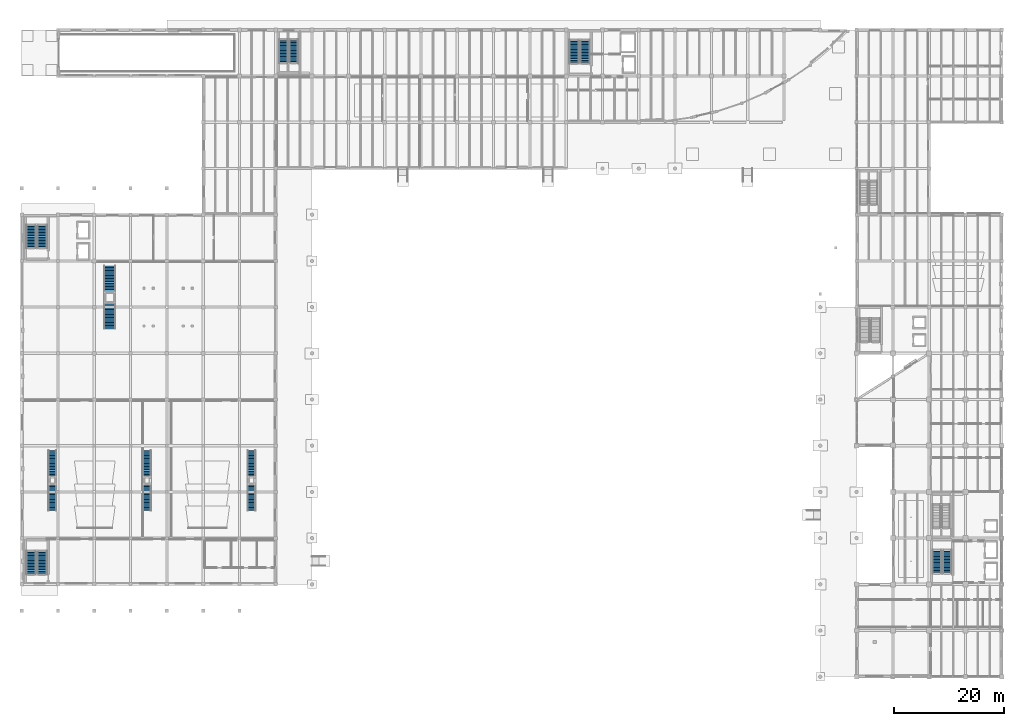
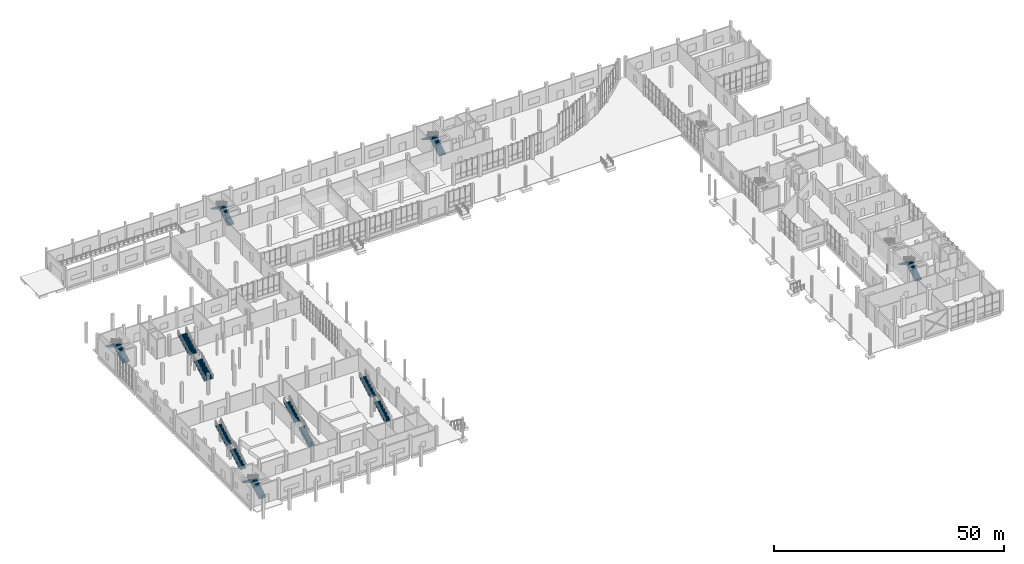
# One storey, part 51 of 64: 18 stair flights, 9 elements without a shape of their own.
"""IFC4 building model written with IfcOpenShell, lengths in metres."""

from ifc_helpers import new_model, si_unit, direction, frame, origin, place, context, subcontext, project, spatial, polyline, outline, extrude, material, type_object, element, aggregate, save


model = new_model("IFC4")

# Units and contexts
model_context = context("Model", 3, precision=1e-05, world=origin(), true_north=direction((0.0, 1.0)))
body_context = subcontext(model_context, "Body", "Model", "MODEL_VIEW")
ifc_project = project(units=[si_unit("LENGTHUNIT", "METRE"), si_unit("AREAUNIT", "SQUARE_METRE"), si_unit("VOLUMEUNIT", "CUBIC_METRE"), si_unit("PLANEANGLEUNIT", "RADIAN"), si_unit("MASSUNIT", "GRAM", prefix="KILO")], contexts=[model_context])

# Site, building, storey
site_placement = place(None, origin())
site = spatial("IfcSite", under=ifc_project, at=site_placement, CompositionType="ELEMENT")
building_placement = place(site_placement, origin())
building = spatial("IfcBuilding", under=site, at=building_placement, Name="Qaldarim Faculty of Natural and Applied Sciences", CompositionType="ELEMENT")
storey_placement = place(building_placement, origin())
storey = spatial("IfcBuildingStorey", under=building, at=storey_placement, Name="L00", CompositionType="ELEMENT", Elevation=0.0)

# Stair, stair flights
ifc_material = material(Name="Concrete C40/50", Category="concrete")
stair_type_1 = type_object("IfcStairType", Name="FeatureStraightStair-W1500-H5400", PredefinedType="STRAIGHT_RUN_STAIR", material=ifc_material)
stair_1_placement = place(storey_placement, origin())
stair_1 = element("IfcStair", 1, at=stair_1_placement, inside=storey, type_object=stair_type_1, Name="Lecture theatre vomitory stair 1", PredefinedType="STRAIGHT_RUN_STAIR")
stair_flight_type_1 = type_object("IfcStairFlightType", Name="FeatureFlight-W1500-17R", PredefinedType="STRAIGHT", material=ifc_material)
stair_flight_1_placement = place(storey_placement, frame((22.800048828125, 30.215087890625, 0.0), z_axis=(0.0, 0.0, 1.0), x_axis=(0.0, 1.0, 0.0)))
stair_flight_1 = element("IfcStairFlight", 2, at=stair_flight_1_placement, type_object=stair_flight_type_1, Name="Lecture theatre vomitory stair 1 flight 1", NumberOfRisers=17, NumberOfTreads=16, PredefinedType="STRAIGHT", RiserHeight=0.158824, TreadLength=0.29, context=body_context, shape_type="SweptSolid", body=[
    extrude(outline(polyline([(0.0, 0.0), (0.0, 0.158935546875), (0.2900390625, 0.158935546875), (0.2900390625, 0.317626953125), (0.580078125, 0.317626953125), (0.580078125, 0.4765625), (0.8701171875, 0.4765625), (0.8701171875, 0.63525390625), (1.159912109375, 0.63525390625), (1.159912109375, 0.794189453125), (1.449951171875, 0.794189453125), (1.449951171875, 0.952880859375), (1.739990234375, 0.952880859375), (1.739990234375, 1.11181640625), (2.030029296875, 1.11181640625), (2.030029296875, 1.2705078125), (2.320068359375, 1.2705078125), (2.320068359375, 1.429443359375), (2.610107421875, 1.429443359375), (2.610107421875, 1.588134765625), (2.89990234375, 1.588134765625), (2.89990234375, 1.7470703125), (3.18994140625, 1.7470703125), (3.18994140625, 1.906005859375), (3.47998046875, 1.906005859375), (3.47998046875, 2.064697265625), (3.77001953125, 2.064697265625), (3.77001953125, 2.2236328125), (4.06005859375, 2.2236328125), (4.06005859375, 2.38232421875), (4.35009765625, 2.38232421875), (4.35009765625, 2.541259765625), (4.639892578125, 2.541259765625), (4.639892578125, 2.699951171875), (4.639892578125, 2.3359375), (0.37451171875, 0.0), (0.0, 0.0)])), frame((0.0, 0.75, 0.0), z_axis=(0.0, -1.0, 0.0), x_axis=(1.0, 0.0, 0.0)), (0.0, 0.0, 1.0), 1.5),
])
stair_flight_2_placement = place(storey_placement, frame((22.800048828125, 36.47509765625, 2.699951171875), z_axis=(0.0, 0.0, 1.0), x_axis=(0.0, 1.0, 0.0)))
stair_flight_2 = element("IfcStairFlight", 3, at=stair_flight_2_placement, type_object=stair_flight_type_1, Name="Lecture theatre vomitory stair 1 flight 2", NumberOfRisers=17, NumberOfTreads=16, PredefinedType="STRAIGHT", RiserHeight=0.158824, TreadLength=0.29, context=body_context, shape_type="SweptSolid", body=[
    extrude(outline(polyline([(0.0, 0.0), (0.0, 0.158935546875), (0.2900390625, 0.158935546875), (0.2900390625, 0.317626953125), (0.580078125, 0.317626953125), (0.580078125, 0.4765625), (0.8701171875, 0.4765625), (0.8701171875, 0.63525390625), (1.159912109375, 0.63525390625), (1.159912109375, 0.794189453125), (1.449951171875, 0.794189453125), (1.449951171875, 0.952880859375), (1.739990234375, 0.952880859375), (1.739990234375, 1.11181640625), (2.030029296875, 1.11181640625), (2.030029296875, 1.2705078125), (2.320068359375, 1.2705078125), (2.320068359375, 1.429443359375), (2.610107421875, 1.429443359375), (2.610107421875, 1.588134765625), (2.89990234375, 1.588134765625), (2.89990234375, 1.7470703125), (3.18994140625, 1.7470703125), (3.18994140625, 1.906005859375), (3.47998046875, 1.906005859375), (3.47998046875, 2.064697265625), (3.77001953125, 2.064697265625), (3.77001953125, 2.2236328125), (4.06005859375, 2.2236328125), (4.06005859375, 2.38232421875), (4.35009765625, 2.38232421875), (4.35009765625, 2.541259765625), (4.639892578125, 2.541259765625), (4.639892578125, 2.699951171875), (4.639892578125, 2.3359375), (0.37451171875, 0.0), (0.0, 0.0)])), frame((0.0, 0.75, 0.0), z_axis=(0.0, -1.0, 0.0), x_axis=(1.0, 0.0, 0.0)), (0.0, 0.0, 1.0), 1.5),
])
aggregate(stair_1, [stair_flight_1, stair_flight_2])

stair_2_placement = place(storey_placement, origin())
stair_2 = element("IfcStair", 4, at=stair_2_placement, inside=storey, type_object=stair_type_1, Name="Lecture theatre vomitory stair 2", PredefinedType="STRAIGHT_RUN_STAIR")
stair_flight_3_placement = place(storey_placement, frame((41.800048828125, 30.215087890625, 0.0), z_axis=(0.0, 0.0, 1.0), x_axis=(0.0, 1.0, 0.0)))
stair_flight_3 = element("IfcStairFlight", 5, at=stair_flight_3_placement, type_object=stair_flight_type_1, Name="Lecture theatre vomitory stair 2 flight 1", NumberOfRisers=17, NumberOfTreads=16, PredefinedType="STRAIGHT", RiserHeight=0.158824, TreadLength=0.29, context=body_context, shape_type="SweptSolid", body=[
    extrude(outline(polyline([(0.0, 0.0), (0.0, 0.158935546875), (0.2900390625, 0.158935546875), (0.2900390625, 0.317626953125), (0.580078125, 0.317626953125), (0.580078125, 0.4765625), (0.8701171875, 0.4765625), (0.8701171875, 0.63525390625), (1.159912109375, 0.63525390625), (1.159912109375, 0.794189453125), (1.449951171875, 0.794189453125), (1.449951171875, 0.952880859375), (1.739990234375, 0.952880859375), (1.739990234375, 1.11181640625), (2.030029296875, 1.11181640625), (2.030029296875, 1.2705078125), (2.320068359375, 1.2705078125), (2.320068359375, 1.429443359375), (2.610107421875, 1.429443359375), (2.610107421875, 1.588134765625), (2.89990234375, 1.588134765625), (2.89990234375, 1.7470703125), (3.18994140625, 1.7470703125), (3.18994140625, 1.906005859375), (3.47998046875, 1.906005859375), (3.47998046875, 2.064697265625), (3.77001953125, 2.064697265625), (3.77001953125, 2.2236328125), (4.06005859375, 2.2236328125), (4.06005859375, 2.38232421875), (4.35009765625, 2.38232421875), (4.35009765625, 2.541259765625), (4.639892578125, 2.541259765625), (4.639892578125, 2.699951171875), (4.639892578125, 2.3359375), (0.37451171875, 0.0), (0.0, 0.0)])), frame((0.0, 0.75, 0.0), z_axis=(0.0, -1.0, 0.0), x_axis=(1.0, 0.0, 0.0)), (0.0, 0.0, 1.0), 1.5),
])
stair_flight_4_placement = place(storey_placement, frame((41.800048828125, 36.47509765625, 2.699951171875), z_axis=(0.0, 0.0, 1.0), x_axis=(0.0, 1.0, 0.0)))
stair_flight_4 = element("IfcStairFlight", 6, at=stair_flight_4_placement, type_object=stair_flight_type_1, Name="Lecture theatre vomitory stair 2 flight 2", NumberOfRisers=17, NumberOfTreads=16, PredefinedType="STRAIGHT", RiserHeight=0.158824, TreadLength=0.29, context=body_context, shape_type="SweptSolid", body=[
    extrude(outline(polyline([(0.0, 0.0), (0.0, 0.158935546875), (0.2900390625, 0.158935546875), (0.2900390625, 0.317626953125), (0.580078125, 0.317626953125), (0.580078125, 0.4765625), (0.8701171875, 0.4765625), (0.8701171875, 0.63525390625), (1.159912109375, 0.63525390625), (1.159912109375, 0.794189453125), (1.449951171875, 0.794189453125), (1.449951171875, 0.952880859375), (1.739990234375, 0.952880859375), (1.739990234375, 1.11181640625), (2.030029296875, 1.11181640625), (2.030029296875, 1.2705078125), (2.320068359375, 1.2705078125), (2.320068359375, 1.429443359375), (2.610107421875, 1.429443359375), (2.610107421875, 1.588134765625), (2.89990234375, 1.588134765625), (2.89990234375, 1.7470703125), (3.18994140625, 1.7470703125), (3.18994140625, 1.906005859375), (3.47998046875, 1.906005859375), (3.47998046875, 2.064697265625), (3.77001953125, 2.064697265625), (3.77001953125, 2.2236328125), (4.06005859375, 2.2236328125), (4.06005859375, 2.38232421875), (4.35009765625, 2.38232421875), (4.35009765625, 2.541259765625), (4.639892578125, 2.541259765625), (4.639892578125, 2.699951171875), (4.639892578125, 2.3359375), (0.37451171875, 0.0), (0.0, 0.0)])), frame((0.0, 0.75, 0.0), z_axis=(0.0, -1.0, 0.0), x_axis=(1.0, 0.0, 0.0)), (0.0, 0.0, 1.0), 1.5),
])
aggregate(stair_2, [stair_flight_3, stair_flight_4])

stair_3_placement = place(storey_placement, origin())
stair_3 = element("IfcStair", 7, at=stair_3_placement, inside=storey, type_object=stair_type_1, Name="Lecture theatre vomitory stair 3", PredefinedType="STRAIGHT_RUN_STAIR")
stair_flight_5_placement = place(storey_placement, frame((5.60009765625, 30.215087890625, 0.0), z_axis=(0.0, 0.0, 1.0), x_axis=(0.0, 1.0, 0.0)))
stair_flight_5 = element("IfcStairFlight", 8, at=stair_flight_5_placement, type_object=stair_flight_type_1, Name="Lecture theatre vomitory stair 3 flight 1", NumberOfRisers=17, NumberOfTreads=16, PredefinedType="STRAIGHT", RiserHeight=0.158824, TreadLength=0.29, context=body_context, shape_type="SweptSolid", body=[
    extrude(outline(polyline([(0.0, 0.0), (0.0, 0.158935546875), (0.2900390625, 0.158935546875), (0.2900390625, 0.317626953125), (0.580078125, 0.317626953125), (0.580078125, 0.4765625), (0.8701171875, 0.4765625), (0.8701171875, 0.63525390625), (1.159912109375, 0.63525390625), (1.159912109375, 0.794189453125), (1.449951171875, 0.794189453125), (1.449951171875, 0.952880859375), (1.739990234375, 0.952880859375), (1.739990234375, 1.11181640625), (2.030029296875, 1.11181640625), (2.030029296875, 1.2705078125), (2.320068359375, 1.2705078125), (2.320068359375, 1.429443359375), (2.610107421875, 1.429443359375), (2.610107421875, 1.588134765625), (2.89990234375, 1.588134765625), (2.89990234375, 1.7470703125), (3.18994140625, 1.7470703125), (3.18994140625, 1.906005859375), (3.47998046875, 1.906005859375), (3.47998046875, 2.064697265625), (3.77001953125, 2.064697265625), (3.77001953125, 2.2236328125), (4.06005859375, 2.2236328125), (4.06005859375, 2.38232421875), (4.35009765625, 2.38232421875), (4.35009765625, 2.541259765625), (4.639892578125, 2.541259765625), (4.639892578125, 2.699951171875), (4.639892578125, 2.3359375), (0.37451171875, 0.0), (0.0, 0.0)])), frame((0.0, 0.75, 0.0), z_axis=(0.0, -1.0, 0.0), x_axis=(1.0, 0.0, 0.0)), (0.0, 0.0, 1.0), 1.5),
])
stair_flight_6_placement = place(storey_placement, frame((5.60009765625, 36.47509765625, 2.699951171875), z_axis=(0.0, 0.0, 1.0), x_axis=(0.0, 1.0, 0.0)))
stair_flight_6 = element("IfcStairFlight", 9, at=stair_flight_6_placement, type_object=stair_flight_type_1, Name="Lecture theatre vomitory stair 3 flight 2", NumberOfRisers=17, NumberOfTreads=16, PredefinedType="STRAIGHT", RiserHeight=0.158824, TreadLength=0.29, context=body_context, shape_type="SweptSolid", body=[
    extrude(outline(polyline([(0.0, 0.0), (0.0, 0.158935546875), (0.2900390625, 0.158935546875), (0.2900390625, 0.317626953125), (0.580078125, 0.317626953125), (0.580078125, 0.4765625), (0.8701171875, 0.4765625), (0.8701171875, 0.63525390625), (1.159912109375, 0.63525390625), (1.159912109375, 0.794189453125), (1.449951171875, 0.794189453125), (1.449951171875, 0.952880859375), (1.739990234375, 0.952880859375), (1.739990234375, 1.11181640625), (2.030029296875, 1.11181640625), (2.030029296875, 1.2705078125), (2.320068359375, 1.2705078125), (2.320068359375, 1.429443359375), (2.610107421875, 1.429443359375), (2.610107421875, 1.588134765625), (2.89990234375, 1.588134765625), (2.89990234375, 1.7470703125), (3.18994140625, 1.7470703125), (3.18994140625, 1.906005859375), (3.47998046875, 1.906005859375), (3.47998046875, 2.064697265625), (3.77001953125, 2.064697265625), (3.77001953125, 2.2236328125), (4.06005859375, 2.2236328125), (4.06005859375, 2.38232421875), (4.35009765625, 2.38232421875), (4.35009765625, 2.541259765625), (4.639892578125, 2.541259765625), (4.639892578125, 2.699951171875), (4.639892578125, 2.3359375), (0.37451171875, 0.0), (0.0, 0.0)])), frame((0.0, 0.75, 0.0), z_axis=(0.0, -1.0, 0.0), x_axis=(1.0, 0.0, 0.0)), (0.0, 0.0, 1.0), 1.5),
])
aggregate(stair_3, [stair_flight_5, stair_flight_6])

stair_type_2 = type_object("IfcStairType", Name="FeatureStraightStair-W2100-H5400", PredefinedType="STRAIGHT_RUN_STAIR", material=ifc_material)
stair_4_placement = place(storey_placement, origin())
stair_4 = element("IfcStair", 10, at=stair_4_placement, inside=storey, type_object=stair_type_2, Name="Atrium monumental stair L00", PredefinedType="STRAIGHT_RUN_STAIR")
stair_flight_type_2 = type_object("IfcStairFlightType", Name="FeatureFlight-W2100-17R", PredefinedType="STRAIGHT", material=ifc_material)
stair_flight_7_placement = place(storey_placement, frame((16.0, 63.264892578125, 0.0), z_axis=(0.0, 0.0, 1.0), x_axis=(0.0, 1.0, 0.0)))
stair_flight_7 = element("IfcStairFlight", 11, at=stair_flight_7_placement, type_object=stair_flight_type_2, Name="Atrium monumental stair L00 flight 1", NumberOfRisers=17, NumberOfTreads=16, PredefinedType="STRAIGHT", RiserHeight=0.158824, TreadLength=0.29, context=body_context, shape_type="SweptSolid", body=[
    extrude(outline(polyline([(0.0, 0.0), (0.0, 0.158935546875), (0.2900390625, 0.158935546875), (0.2900390625, 0.317626953125), (0.580078125, 0.317626953125), (0.580078125, 0.4765625), (0.8701171875, 0.4765625), (0.8701171875, 0.63525390625), (1.159912109375, 0.63525390625), (1.159912109375, 0.794189453125), (1.449951171875, 0.794189453125), (1.449951171875, 0.952880859375), (1.739990234375, 0.952880859375), (1.739990234375, 1.11181640625), (2.030029296875, 1.11181640625), (2.030029296875, 1.2705078125), (2.320068359375, 1.2705078125), (2.320068359375, 1.429443359375), (2.610107421875, 1.429443359375), (2.610107421875, 1.588134765625), (2.89990234375, 1.588134765625), (2.89990234375, 1.7470703125), (3.18994140625, 1.7470703125), (3.18994140625, 1.906005859375), (3.47998046875, 1.906005859375), (3.47998046875, 2.064697265625), (3.77001953125, 2.064697265625), (3.77001953125, 2.2236328125), (4.06005859375, 2.2236328125), (4.06005859375, 2.38232421875), (4.35009765625, 2.38232421875), (4.35009765625, 2.541259765625), (4.639892578125, 2.541259765625), (4.639892578125, 2.699951171875), (4.639892578125, 2.3359375), (0.37451171875, 0.0), (0.0, 0.0)])), frame((0.0, 1.050048828125, 0.0), z_axis=(0.0, -1.0, 0.0), x_axis=(1.0, 0.0, 0.0)), (0.0, 0.0, 1.0), 2.10009765625),
])
stair_flight_8_placement = place(storey_placement, frame((16.0, 70.074951171875, 2.699951171875), z_axis=(0.0, 0.0, 1.0), x_axis=(0.0, 1.0, 0.0)))
stair_flight_8 = element("IfcStairFlight", 12, at=stair_flight_8_placement, type_object=stair_flight_type_2, Name="Atrium monumental stair L00 flight 2", NumberOfRisers=17, NumberOfTreads=16, PredefinedType="STRAIGHT", RiserHeight=0.158824, TreadLength=0.29, context=body_context, shape_type="SweptSolid", body=[
    extrude(outline(polyline([(0.0, 0.0), (0.0, 0.158935546875), (0.2900390625, 0.158935546875), (0.2900390625, 0.317626953125), (0.580078125, 0.317626953125), (0.580078125, 0.4765625), (0.8701171875, 0.4765625), (0.8701171875, 0.63525390625), (1.159912109375, 0.63525390625), (1.159912109375, 0.794189453125), (1.449951171875, 0.794189453125), (1.449951171875, 0.952880859375), (1.739990234375, 0.952880859375), (1.739990234375, 1.11181640625), (2.030029296875, 1.11181640625), (2.030029296875, 1.2705078125), (2.320068359375, 1.2705078125), (2.320068359375, 1.429443359375), (2.610107421875, 1.429443359375), (2.610107421875, 1.588134765625), (2.89990234375, 1.588134765625), (2.89990234375, 1.7470703125), (3.18994140625, 1.7470703125), (3.18994140625, 1.906005859375), (3.47998046875, 1.906005859375), (3.47998046875, 2.064697265625), (3.77001953125, 2.064697265625), (3.77001953125, 2.2236328125), (4.06005859375, 2.2236328125), (4.06005859375, 2.38232421875), (4.35009765625, 2.38232421875), (4.35009765625, 2.541259765625), (4.639892578125, 2.541259765625), (4.639892578125, 2.699951171875), (4.639892578125, 2.3359375), (0.37451171875, 0.0), (0.0, 0.0)])), frame((0.0, 1.050048828125, 0.0), z_axis=(0.0, -1.0, 0.0), x_axis=(1.0, 0.0, 0.0)), (0.0, 0.0, 1.0), 2.10009765625),
])
aggregate(stair_4, [stair_flight_7, stair_flight_8])

stair_type_3 = type_object("IfcStairType", Name="DoglegStair-W1650-H5400-32R", PredefinedType="HALF_TURN_STAIR", material=ifc_material)
stair_5_placement = place(storey_placement, origin())
stair_5 = element("IfcStair", 13, at=stair_5_placement, inside=storey, type_object=stair_type_3, Name="Enclosed exit stair ST-A1 L00", PredefinedType="HALF_TURN_STAIR")
stair_flight_type_3 = type_object("IfcStairFlightType", Name="StairFlight-W1650-16R", PredefinedType="STRAIGHT", material=ifc_material)
stair_flight_9_placement = place(storey_placement, frame((168.27490234375, 18.75, 0.0), z_axis=(0.0, 0.0, 1.0), x_axis=(0.0, 1.0, 0.0)))
stair_flight_9 = element("IfcStairFlight", 14, at=stair_flight_9_placement, type_object=stair_flight_type_3, Name="ST-A1 L00 flight 1", NumberOfRisers=16, NumberOfTreads=15, PredefinedType="STRAIGHT", RiserHeight=0.16875, TreadLength=0.285, context=body_context, shape_type="SweptSolid", body=[
    extrude(outline(polyline([(0.0, 0.0), (0.0, 0.168701171875), (0.284912109375, 0.168701171875), (0.284912109375, 0.33740234375), (0.570068359375, 0.33740234375), (0.570068359375, 0.50634765625), (0.85498046875, 0.50634765625), (0.85498046875, 0.675048828125), (1.139892578125, 0.675048828125), (1.139892578125, 0.84375), (1.425048828125, 0.84375), (1.425048828125, 1.012451171875), (1.7099609375, 1.012451171875), (1.7099609375, 1.18115234375), (1.9951171875, 1.18115234375), (1.9951171875, 1.35009765625), (2.280029296875, 1.35009765625), (2.280029296875, 1.518798828125), (2.56494140625, 1.518798828125), (2.56494140625, 1.6875), (2.85009765625, 1.6875), (2.85009765625, 1.856201171875), (3.135009765625, 1.856201171875), (3.135009765625, 2.02490234375), (3.419921875, 2.02490234375), (3.419921875, 2.19384765625), (3.705078125, 2.19384765625), (3.705078125, 2.362548828125), (3.989990234375, 2.362548828125), (3.989990234375, 2.53125), (4.27490234375, 2.53125), (4.27490234375, 2.699951171875), (4.27490234375, 2.35693359375), (0.294189453125, 0.0), (0.0, 0.0)])), frame((0.0, 0.824951171875, 0.0), z_axis=(0.0, -1.0, 0.0), x_axis=(1.0, 0.0, 0.0)), (0.0, 0.0, 1.0), 1.64990234375),
])
stair_flight_10_placement = place(storey_placement, frame((166.425048828125, 23.02490234375, 2.699951171875), z_axis=(0.0, 0.0, 1.0), x_axis=(0.0, -1.0, 0.0)))
stair_flight_10 = element("IfcStairFlight", 15, at=stair_flight_10_placement, type_object=stair_flight_type_3, Name="ST-A1 L00 flight 2", NumberOfRisers=16, NumberOfTreads=15, PredefinedType="STRAIGHT", RiserHeight=0.16875, TreadLength=0.285, context=body_context, shape_type="SweptSolid", body=[
    extrude(outline(polyline([(0.0, 0.0), (0.0, 0.168701171875), (0.284912109375, 0.168701171875), (0.284912109375, 0.33740234375), (0.570068359375, 0.33740234375), (0.570068359375, 0.50634765625), (0.85498046875, 0.50634765625), (0.85498046875, 0.675048828125), (1.139892578125, 0.675048828125), (1.139892578125, 0.84375), (1.425048828125, 0.84375), (1.425048828125, 1.012451171875), (1.7099609375, 1.012451171875), (1.7099609375, 1.18115234375), (1.9951171875, 1.18115234375), (1.9951171875, 1.35009765625), (2.280029296875, 1.35009765625), (2.280029296875, 1.518798828125), (2.56494140625, 1.518798828125), (2.56494140625, 1.6875), (2.85009765625, 1.6875), (2.85009765625, 1.856201171875), (3.135009765625, 1.856201171875), (3.135009765625, 2.02490234375), (3.419921875, 2.02490234375), (3.419921875, 2.19384765625), (3.705078125, 2.19384765625), (3.705078125, 2.362548828125), (3.989990234375, 2.362548828125), (3.989990234375, 2.53125), (4.27490234375, 2.53125), (4.27490234375, 2.699951171875), (4.27490234375, 2.35693359375), (0.294189453125, 0.0), (0.0, 0.0)])), frame((0.0, 0.824951171875, 0.0), z_axis=(0.0, -1.0, 0.0), x_axis=(1.0, 0.0, 0.0)), (0.0, 0.0, 1.0), 1.64990234375),
])
aggregate(stair_5, [stair_flight_9, stair_flight_10])

stair_6_placement = place(storey_placement, origin())
stair_6 = element("IfcStair", 16, at=stair_6_placement, inside=storey, type_object=stair_type_3, Name="Enclosed exit stair ST-B2 L00", PredefinedType="HALF_TURN_STAIR")
stair_flight_11_placement = place(storey_placement, frame((49.47509765625, 111.60009765625, 0.0), z_axis=(0.0, 0.0, 1.0), x_axis=(0.0, 1.0, 0.0)))
stair_flight_11 = element("IfcStairFlight", 17, at=stair_flight_11_placement, type_object=stair_flight_type_3, Name="ST-B2 L00 flight 1", NumberOfRisers=16, NumberOfTreads=15, PredefinedType="STRAIGHT", RiserHeight=0.16875, TreadLength=0.285, context=body_context, shape_type="SweptSolid", body=[
    extrude(outline(polyline([(0.0, 0.0), (0.0, 0.168701171875), (0.284912109375, 0.168701171875), (0.284912109375, 0.33740234375), (0.570068359375, 0.33740234375), (0.570068359375, 0.50634765625), (0.85498046875, 0.50634765625), (0.85498046875, 0.675048828125), (1.139892578125, 0.675048828125), (1.139892578125, 0.84375), (1.425048828125, 0.84375), (1.425048828125, 1.012451171875), (1.7099609375, 1.012451171875), (1.7099609375, 1.18115234375), (1.9951171875, 1.18115234375), (1.9951171875, 1.35009765625), (2.280029296875, 1.35009765625), (2.280029296875, 1.518798828125), (2.56494140625, 1.518798828125), (2.56494140625, 1.6875), (2.85009765625, 1.6875), (2.85009765625, 1.856201171875), (3.135009765625, 1.856201171875), (3.135009765625, 2.02490234375), (3.419921875, 2.02490234375), (3.419921875, 2.19384765625), (3.705078125, 2.19384765625), (3.705078125, 2.362548828125), (3.989990234375, 2.362548828125), (3.989990234375, 2.53125), (4.27490234375, 2.53125), (4.27490234375, 2.699951171875), (4.27490234375, 2.35693359375), (0.294189453125, 0.0), (0.0, 0.0)])), frame((0.0, 0.824951171875, 0.0), z_axis=(0.0, -1.0, 0.0), x_axis=(1.0, 0.0, 0.0)), (0.0, 0.0, 1.0), 1.64990234375),
])
stair_flight_12_placement = place(storey_placement, frame((47.625, 115.875, 2.699951171875), z_axis=(0.0, 0.0, 1.0), x_axis=(0.0, -1.0, 0.0)))
stair_flight_12 = element("IfcStairFlight", 18, at=stair_flight_12_placement, type_object=stair_flight_type_3, Name="ST-B2 L00 flight 2", NumberOfRisers=16, NumberOfTreads=15, PredefinedType="STRAIGHT", RiserHeight=0.16875, TreadLength=0.285, context=body_context, shape_type="SweptSolid", body=[
    extrude(outline(polyline([(0.0, 0.0), (0.0, 0.168701171875), (0.284912109375, 0.168701171875), (0.284912109375, 0.33740234375), (0.570068359375, 0.33740234375), (0.570068359375, 0.50634765625), (0.85498046875, 0.50634765625), (0.85498046875, 0.675048828125), (1.139892578125, 0.675048828125), (1.139892578125, 0.84375), (1.425048828125, 0.84375), (1.425048828125, 1.012451171875), (1.7099609375, 1.012451171875), (1.7099609375, 1.18115234375), (1.9951171875, 1.18115234375), (1.9951171875, 1.35009765625), (2.280029296875, 1.35009765625), (2.280029296875, 1.518798828125), (2.56494140625, 1.518798828125), (2.56494140625, 1.6875), (2.85009765625, 1.6875), (2.85009765625, 1.856201171875), (3.135009765625, 1.856201171875), (3.135009765625, 2.02490234375), (3.419921875, 2.02490234375), (3.419921875, 2.19384765625), (3.705078125, 2.19384765625), (3.705078125, 2.362548828125), (3.989990234375, 2.362548828125), (3.989990234375, 2.53125), (4.27490234375, 2.53125), (4.27490234375, 2.699951171875), (4.27490234375, 2.35693359375), (0.294189453125, 0.0), (0.0, 0.0)])), frame((0.0, 0.824951171875, 0.0), z_axis=(0.0, -1.0, 0.0), x_axis=(1.0, 0.0, 0.0)), (0.0, 0.0, 1.0), 1.64990234375),
])
aggregate(stair_6, [stair_flight_11, stair_flight_12])

stair_type_4 = type_object("IfcStairType", Name="DoglegStair-W1800-H5400-32R", PredefinedType="HALF_TURN_STAIR", material=ifc_material)
stair_7_placement = place(storey_placement, origin())
stair_7 = element("IfcStair", 19, at=stair_7_placement, inside=storey, type_object=stair_type_4, Name="Enclosed exit stair ST-B1 L00", PredefinedType="HALF_TURN_STAIR")
stair_flight_type_4 = type_object("IfcStairFlightType", Name="StairFlight-W1800-16R", PredefinedType="STRAIGHT", material=ifc_material)
stair_flight_13_placement = place(storey_placement, frame((102.449951171875, 111.5, 0.0), z_axis=(0.0, 0.0, 1.0), x_axis=(0.0, 1.0, 0.0)))
stair_flight_13 = element("IfcStairFlight", 20, at=stair_flight_13_placement, type_object=stair_flight_type_4, Name="ST-B1 L00 flight 1", NumberOfRisers=16, NumberOfTreads=15, PredefinedType="STRAIGHT", RiserHeight=0.16875, TreadLength=0.285, context=body_context, shape_type="SweptSolid", body=[
    extrude(outline(polyline([(0.0, 0.0), (0.0, 0.168701171875), (0.284912109375, 0.168701171875), (0.284912109375, 0.33740234375), (0.570068359375, 0.33740234375), (0.570068359375, 0.50634765625), (0.85498046875, 0.50634765625), (0.85498046875, 0.675048828125), (1.139892578125, 0.675048828125), (1.139892578125, 0.84375), (1.425048828125, 0.84375), (1.425048828125, 1.012451171875), (1.7099609375, 1.012451171875), (1.7099609375, 1.18115234375), (1.9951171875, 1.18115234375), (1.9951171875, 1.35009765625), (2.280029296875, 1.35009765625), (2.280029296875, 1.518798828125), (2.56494140625, 1.518798828125), (2.56494140625, 1.6875), (2.85009765625, 1.6875), (2.85009765625, 1.856201171875), (3.135009765625, 1.856201171875), (3.135009765625, 2.02490234375), (3.419921875, 2.02490234375), (3.419921875, 2.19384765625), (3.705078125, 2.19384765625), (3.705078125, 2.362548828125), (3.989990234375, 2.362548828125), (3.989990234375, 2.53125), (4.27490234375, 2.53125), (4.27490234375, 2.699951171875), (4.27490234375, 2.35693359375), (0.294189453125, 0.0), (0.0, 0.0)])), frame((0.0, 0.89990234375, 0.0), z_axis=(0.0, -1.0, 0.0), x_axis=(1.0, 0.0, 0.0)), (0.0, 0.0, 1.0), 1.800048828125),
])
stair_flight_14_placement = place(storey_placement, frame((100.449951171875, 115.77490234375, 2.699951171875), z_axis=(0.0, 0.0, 1.0), x_axis=(0.0, -1.0, 0.0)))
stair_flight_14 = element("IfcStairFlight", 21, at=stair_flight_14_placement, type_object=stair_flight_type_4, Name="ST-B1 L00 flight 2", NumberOfRisers=16, NumberOfTreads=15, PredefinedType="STRAIGHT", RiserHeight=0.16875, TreadLength=0.285, context=body_context, shape_type="SweptSolid", body=[
    extrude(outline(polyline([(0.0, 0.0), (0.0, 0.168701171875), (0.284912109375, 0.168701171875), (0.284912109375, 0.33740234375), (0.570068359375, 0.33740234375), (0.570068359375, 0.50634765625), (0.85498046875, 0.50634765625), (0.85498046875, 0.675048828125), (1.139892578125, 0.675048828125), (1.139892578125, 0.84375), (1.425048828125, 0.84375), (1.425048828125, 1.012451171875), (1.7099609375, 1.012451171875), (1.7099609375, 1.18115234375), (1.9951171875, 1.18115234375), (1.9951171875, 1.35009765625), (2.280029296875, 1.35009765625), (2.280029296875, 1.518798828125), (2.56494140625, 1.518798828125), (2.56494140625, 1.6875), (2.85009765625, 1.6875), (2.85009765625, 1.856201171875), (3.135009765625, 1.856201171875), (3.135009765625, 2.02490234375), (3.419921875, 2.02490234375), (3.419921875, 2.19384765625), (3.705078125, 2.19384765625), (3.705078125, 2.362548828125), (3.989990234375, 2.362548828125), (3.989990234375, 2.53125), (4.27490234375, 2.53125), (4.27490234375, 2.699951171875), (4.27490234375, 2.35693359375), (0.294189453125, 0.0), (0.0, 0.0)])), frame((0.0, 0.89990234375, 0.0), z_axis=(0.0, -1.0, 0.0), x_axis=(1.0, 0.0, 0.0)), (0.0, 0.0, 1.0), 1.800048828125),
])
aggregate(stair_7, [stair_flight_13, stair_flight_14])

stair_8_placement = place(storey_placement, origin())
stair_8 = element("IfcStair", 22, at=stair_8_placement, inside=storey, type_object=stair_type_4, Name="Enclosed exit stair ST-D1 L00", PredefinedType="HALF_TURN_STAIR")
stair_flight_15_placement = place(storey_placement, frame((3.75, 18.60009765625, 0.0), z_axis=(0.0, 0.0, 1.0), x_axis=(0.0, 1.0, 0.0)))
stair_flight_15 = element("IfcStairFlight", 23, at=stair_flight_15_placement, type_object=stair_flight_type_4, Name="ST-D1 L00 flight 1", NumberOfRisers=16, NumberOfTreads=15, PredefinedType="STRAIGHT", RiserHeight=0.16875, TreadLength=0.285, context=body_context, shape_type="SweptSolid", body=[
    extrude(outline(polyline([(0.0, 0.0), (0.0, 0.168701171875), (0.284912109375, 0.168701171875), (0.284912109375, 0.33740234375), (0.570068359375, 0.33740234375), (0.570068359375, 0.50634765625), (0.85498046875, 0.50634765625), (0.85498046875, 0.675048828125), (1.139892578125, 0.675048828125), (1.139892578125, 0.84375), (1.425048828125, 0.84375), (1.425048828125, 1.012451171875), (1.7099609375, 1.012451171875), (1.7099609375, 1.18115234375), (1.9951171875, 1.18115234375), (1.9951171875, 1.35009765625), (2.280029296875, 1.35009765625), (2.280029296875, 1.518798828125), (2.56494140625, 1.518798828125), (2.56494140625, 1.6875), (2.85009765625, 1.6875), (2.85009765625, 1.856201171875), (3.135009765625, 1.856201171875), (3.135009765625, 2.02490234375), (3.419921875, 2.02490234375), (3.419921875, 2.19384765625), (3.705078125, 2.19384765625), (3.705078125, 2.362548828125), (3.989990234375, 2.362548828125), (3.989990234375, 2.53125), (4.27490234375, 2.53125), (4.27490234375, 2.699951171875), (4.27490234375, 2.35693359375), (0.294189453125, 0.0), (0.0, 0.0)])), frame((0.0, 0.89990234375, 0.0), z_axis=(0.0, -1.0, 0.0), x_axis=(1.0, 0.0, 0.0)), (0.0, 0.0, 1.0), 1.800048828125),
])
stair_flight_16_placement = place(storey_placement, frame((1.75, 22.875, 2.699951171875), z_axis=(0.0, 0.0, 1.0), x_axis=(0.0, -1.0, 0.0)))
stair_flight_16 = element("IfcStairFlight", 24, at=stair_flight_16_placement, type_object=stair_flight_type_4, Name="ST-D1 L00 flight 2", NumberOfRisers=16, NumberOfTreads=15, PredefinedType="STRAIGHT", RiserHeight=0.16875, TreadLength=0.285, context=body_context, shape_type="SweptSolid", body=[
    extrude(outline(polyline([(0.0, 0.0), (0.0, 0.168701171875), (0.284912109375, 0.168701171875), (0.284912109375, 0.33740234375), (0.570068359375, 0.33740234375), (0.570068359375, 0.50634765625), (0.85498046875, 0.50634765625), (0.85498046875, 0.675048828125), (1.139892578125, 0.675048828125), (1.139892578125, 0.84375), (1.425048828125, 0.84375), (1.425048828125, 1.012451171875), (1.7099609375, 1.012451171875), (1.7099609375, 1.18115234375), (1.9951171875, 1.18115234375), (1.9951171875, 1.35009765625), (2.280029296875, 1.35009765625), (2.280029296875, 1.518798828125), (2.56494140625, 1.518798828125), (2.56494140625, 1.6875), (2.85009765625, 1.6875), (2.85009765625, 1.856201171875), (3.135009765625, 1.856201171875), (3.135009765625, 2.02490234375), (3.419921875, 2.02490234375), (3.419921875, 2.19384765625), (3.705078125, 2.19384765625), (3.705078125, 2.362548828125), (3.989990234375, 2.362548828125), (3.989990234375, 2.53125), (4.27490234375, 2.53125), (4.27490234375, 2.699951171875), (4.27490234375, 2.35693359375), (0.294189453125, 0.0), (0.0, 0.0)])), frame((0.0, 0.89990234375, 0.0), z_axis=(0.0, -1.0, 0.0), x_axis=(1.0, 0.0, 0.0)), (0.0, 0.0, 1.0), 1.800048828125),
])
aggregate(stair_8, [stair_flight_15, stair_flight_16])

stair_9_placement = place(storey_placement, origin())
stair_9 = element("IfcStair", 25, at=stair_9_placement, inside=storey, type_object=stair_type_4, Name="Enclosed exit stair ST-D2 L00", PredefinedType="HALF_TURN_STAIR")
stair_flight_17_placement = place(storey_placement, frame((3.75, 77.89990234375, 0.0), z_axis=(0.0, 0.0, 1.0), x_axis=(0.0, 1.0, 0.0)))
stair_flight_17 = element("IfcStairFlight", 26, at=stair_flight_17_placement, type_object=stair_flight_type_4, Name="ST-D2 L00 flight 1", NumberOfRisers=16, NumberOfTreads=15, PredefinedType="STRAIGHT", RiserHeight=0.16875, TreadLength=0.285, context=body_context, shape_type="SweptSolid", body=[
    extrude(outline(polyline([(0.0, 0.0), (0.0, 0.168701171875), (0.284912109375, 0.168701171875), (0.284912109375, 0.33740234375), (0.570068359375, 0.33740234375), (0.570068359375, 0.50634765625), (0.85498046875, 0.50634765625), (0.85498046875, 0.675048828125), (1.139892578125, 0.675048828125), (1.139892578125, 0.84375), (1.425048828125, 0.84375), (1.425048828125, 1.012451171875), (1.7099609375, 1.012451171875), (1.7099609375, 1.18115234375), (1.9951171875, 1.18115234375), (1.9951171875, 1.35009765625), (2.280029296875, 1.35009765625), (2.280029296875, 1.518798828125), (2.56494140625, 1.518798828125), (2.56494140625, 1.6875), (2.85009765625, 1.6875), (2.85009765625, 1.856201171875), (3.135009765625, 1.856201171875), (3.135009765625, 2.02490234375), (3.419921875, 2.02490234375), (3.419921875, 2.19384765625), (3.705078125, 2.19384765625), (3.705078125, 2.362548828125), (3.989990234375, 2.362548828125), (3.989990234375, 2.53125), (4.27490234375, 2.53125), (4.27490234375, 2.699951171875), (4.27490234375, 2.35693359375), (0.294189453125, 0.0), (0.0, 0.0)])), frame((0.0, 0.89990234375, 0.0), z_axis=(0.0, -1.0, 0.0), x_axis=(1.0, 0.0, 0.0)), (0.0, 0.0, 1.0), 1.800048828125),
])
stair_flight_18_placement = place(storey_placement, frame((1.75, 82.175048828125, 2.699951171875), z_axis=(0.0, 0.0, 1.0), x_axis=(0.0, -1.0, 0.0)))
stair_flight_18 = element("IfcStairFlight", 27, at=stair_flight_18_placement, type_object=stair_flight_type_4, Name="ST-D2 L00 flight 2", NumberOfRisers=16, NumberOfTreads=15, PredefinedType="STRAIGHT", RiserHeight=0.16875, TreadLength=0.285, context=body_context, shape_type="SweptSolid", body=[
    extrude(outline(polyline([(0.0, 0.0), (0.0, 0.168701171875), (0.284912109375, 0.168701171875), (0.284912109375, 0.33740234375), (0.570068359375, 0.33740234375), (0.570068359375, 0.50634765625), (0.85498046875, 0.50634765625), (0.85498046875, 0.675048828125), (1.139892578125, 0.675048828125), (1.139892578125, 0.84375), (1.425048828125, 0.84375), (1.425048828125, 1.012451171875), (1.7099609375, 1.012451171875), (1.7099609375, 1.18115234375), (1.9951171875, 1.18115234375), (1.9951171875, 1.35009765625), (2.280029296875, 1.35009765625), (2.280029296875, 1.518798828125), (2.56494140625, 1.518798828125), (2.56494140625, 1.6875), (2.85009765625, 1.6875), (2.85009765625, 1.856201171875), (3.135009765625, 1.856201171875), (3.135009765625, 2.02490234375), (3.419921875, 2.02490234375), (3.419921875, 2.19384765625), (3.705078125, 2.19384765625), (3.705078125, 2.362548828125), (3.989990234375, 2.362548828125), (3.989990234375, 2.53125), (4.27490234375, 2.53125), (4.27490234375, 2.699951171875), (4.27490234375, 2.35693359375), (0.294189453125, 0.0), (0.0, 0.0)])), frame((0.0, 0.89990234375, 0.0), z_axis=(0.0, -1.0, 0.0), x_axis=(1.0, 0.0, 0.0)), (0.0, 0.0, 1.0), 1.800048828125),
])
aggregate(stair_9, [stair_flight_17, stair_flight_18])

save(model, "model.ifc")
